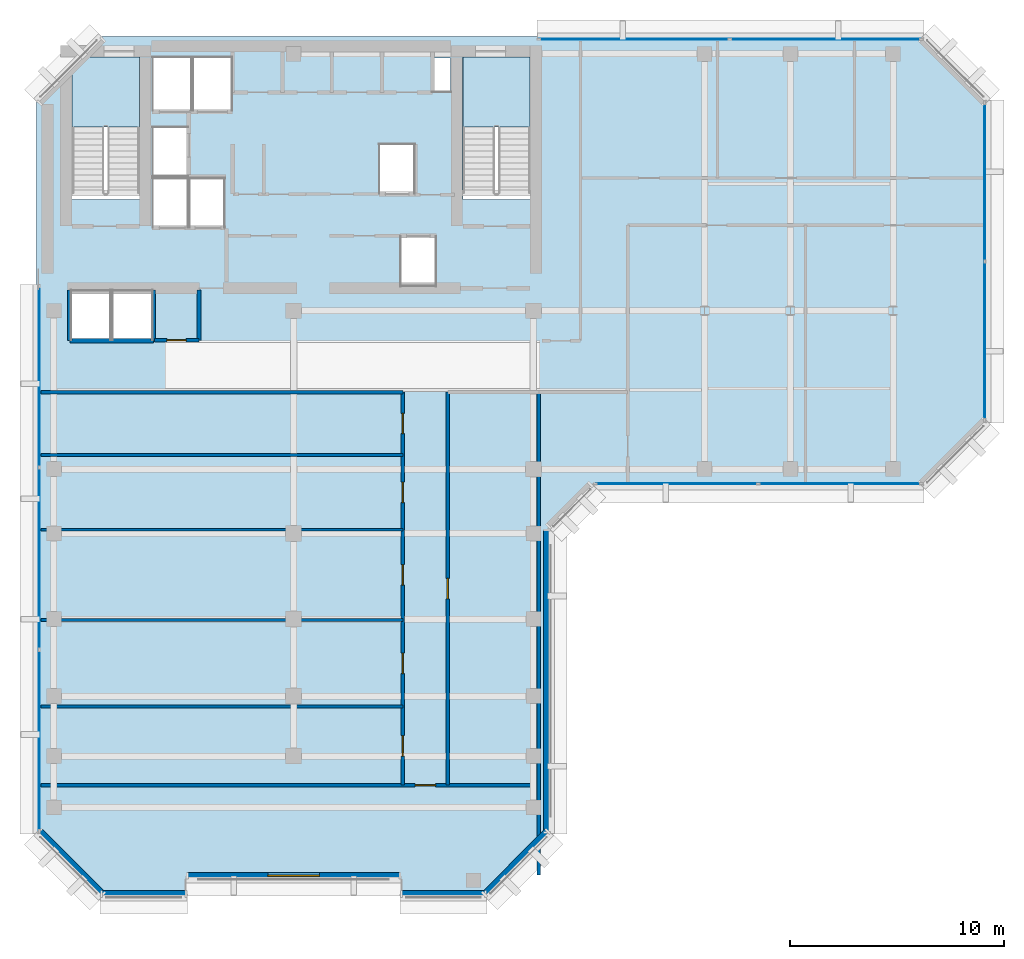
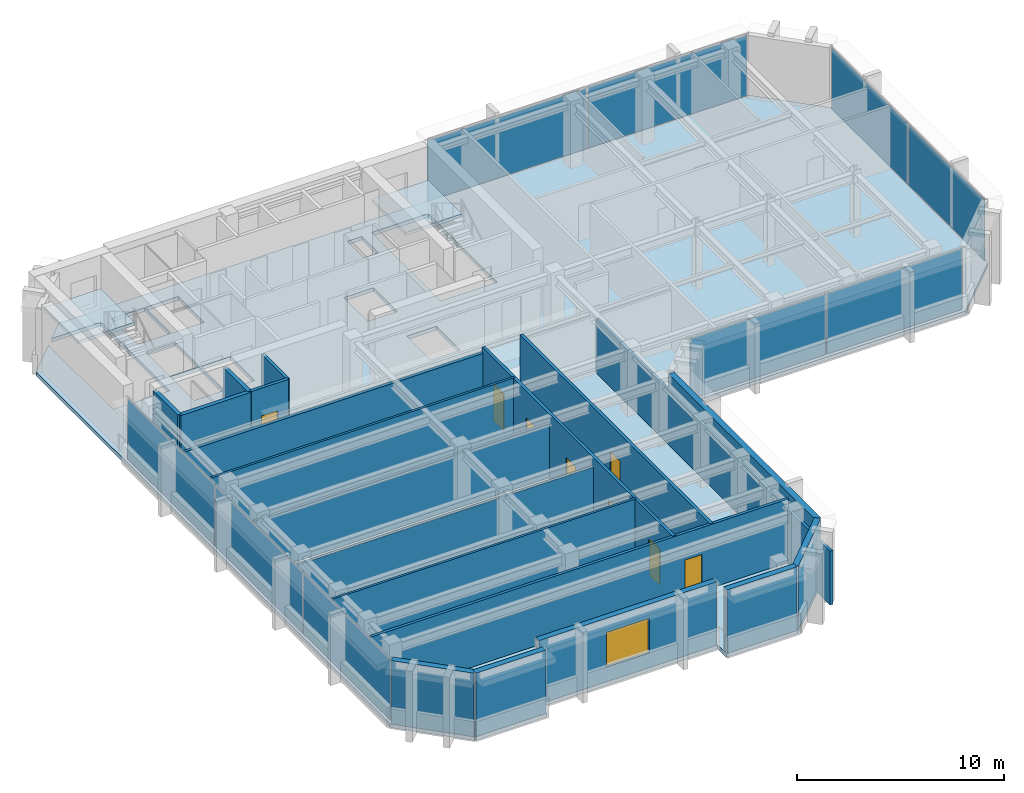
# One storey, part 6 of 13: 20 walls, 9 plates, 8 doors, 3 slabs, 1 window, 9 openings, 6 elements without a shape of their own.
"""IFC4 building model written with IfcOpenShell, lengths in metres."""

from ifc_helpers import new_model, si_unit, direction, frame, frame_2d, origin, origin_2d, place, context, subcontext, project, spatial, polyline, rectangle, outline, extrude, material, layer, layer_set, type_object, element, fill, aggregate, save


model = new_model("IFC4")

# Units and contexts
model_context = context("Model", 3, precision=1e-05, world=origin(), true_north=direction((0.0, 1.0)))
body_context = subcontext(model_context, "Body", "Model", "MODEL_VIEW")
ifc_project = project(units=[si_unit("LENGTHUNIT", "METRE"), si_unit("AREAUNIT", "SQUARE_METRE"), si_unit("VOLUMEUNIT", "CUBIC_METRE"), si_unit("PLANEANGLEUNIT", "RADIAN"), si_unit("MASSUNIT", "GRAM", prefix="KILO")], contexts=[model_context])

# Site, building, storey
site_placement = place(None, origin())
site = spatial("IfcSite", under=ifc_project, at=site_placement, CompositionType="ELEMENT")
building_placement = place(site_placement, origin())
building = spatial("IfcBuilding", under=site, at=building_placement, Name="Kefirva Bronze Tower", CompositionType="ELEMENT")
storey_placement = place(building_placement, frame((0.0, 0.0, 311.85009765625)))
storey = spatial("IfcBuildingStorey", under=building, at=storey_placement, Name="L76", CompositionType="ELEMENT", Elevation=311.85009765625)

# Stair, slab
ifc_material_1 = material(Name="Concrete C40/50", Category="concrete")
stair_type = type_object("IfcStairType", Name="RC Dogleg Protected Stair 24R", PredefinedType="HALF_TURN_STAIR", material=ifc_material_1)
stair_1_placement = place(storey_placement, origin())
stair_1 = element("IfcStair", 1, at=stair_1_placement, inside=storey, type_object=stair_type, Name="L76 Protected Exit Stair 1", PredefinedType="HALF_TURN_STAIR")
ifc_layer_1 = layer(ifc_material_1, 0.199951171875, Name="Concrete C40/50")
ifc_layer_set_1 = layer_set([ifc_layer_1], Name="Concrete C40/50")
slab_type_1 = type_object("IfcSlabType", Name="RC Stair Landing Slab 200mm", PredefinedType="LANDING", material=ifc_layer_set_1)
slab_1_placement = place(storey_placement, frame((0.0, 0.0, 1.77978515625)))
slab_1 = element("IfcSlab", 2, at=slab_1_placement, type_object=slab_type_1, Name="ST-1 landing 1", PredefinedType="LANDING", context=body_context, shape_type="SweptSolid", body=[
    extrude(outline(polyline([(4.800048828125, 41.780029296875), (4.800048828125, 45.050048828125), (1.64990234375, 45.050048828125), (1.64990234375, 41.780029296875), (4.800048828125, 41.780029296875)])), origin(), (0.0, 0.0, 1.0), 0.2001953125),
])
aggregate(stair_1, [slab_1])

stair_2_placement = place(storey_placement, origin())
stair_2 = element("IfcStair", 3, at=stair_2_placement, inside=storey, type_object=stair_type, Name="L76 Protected Exit Stair 2", PredefinedType="HALF_TURN_STAIR")
slab_2_placement = place(storey_placement, frame((0.0, 0.0, 1.77978515625)))
slab_2 = element("IfcSlab", 4, at=slab_2_placement, type_object=slab_type_1, Name="ST-2 landing 1", PredefinedType="LANDING", context=body_context, shape_type="SweptSolid", body=[
    extrude(outline(polyline([(23.050048828125, 41.780029296875), (23.050048828125, 45.050048828125), (19.89990234375, 45.050048828125), (19.89990234375, 41.780029296875), (23.050048828125, 41.780029296875)])), origin(), (0.0, 0.0, 1.0), 0.2001953125),
])
aggregate(stair_2, [slab_2])

# Slab
ifc_layer_2 = layer(ifc_material_1, 0.219970703125, Name="Concrete C40/50")
ifc_layer_set_2 = layer_set([ifc_layer_2], Name="Concrete C40/50")
slab_type_2 = type_object("IfcSlabType", Name="RC Upper Floor Slab 220mm", PredefinedType="FLOOR", material=ifc_layer_set_2)
slab_3_placement = place(storey_placement, frame((0.0, 0.0, -0.22021484375)))
element("IfcSlab", 5, at=slab_3_placement, inside=storey, type_object=slab_type_2, Name="L76 Structural Floor Slab", PredefinedType="FLOOR", context=body_context, shape_type="SweptSolid", body=[
    extrude(outline(polyline([(0.0, 8.800048828125), (0.0, 43.0), (1.64990234375, 44.64990234375), (1.64990234375, 38.39990234375), (4.800048828125, 38.39990234375), (4.800048828125, 45.050048828125), (2.050048828125, 45.050048828125), (3.0, 46.0), (41.39990234375, 46.0), (44.39990234375, 43.0), (44.39990234375, 28.0), (41.39990234375, 25.0), (26.0, 25.0), (24.0, 23.0), (24.0, 8.800048828125), (21.0, 5.800048828125), (17.0, 5.800048828125), (17.0, 6.64990234375), (7.0, 6.64990234375), (7.0, 5.800048828125), (3.0, 5.800048828125), (0.0, 8.800048828125)]), holes=[polyline([(23.050048828125, 45.050048828125), (19.89990234375, 45.050048828125), (19.89990234375, 38.39990234375), (23.050048828125, 38.39990234375), (23.050048828125, 45.050048828125)]), polyline([(19.320068359375, 43.419921875), (19.320068359375, 45.0), (18.52001953125, 45.0), (18.52001953125, 43.419921875), (19.320068359375, 43.419921875)]), polyline([(18.64990234375, 36.64990234375), (17.0, 36.64990234375), (17.0, 34.35009765625), (18.64990234375, 34.35009765625), (18.64990234375, 36.64990234375)]), polyline([(17.64990234375, 38.679931640625), (17.64990234375, 40.97998046875), (16.0, 40.97998046875), (16.0, 38.679931640625), (17.64990234375, 38.679931640625)]), polyline([(9.1201171875, 42.550048828125), (9.1201171875, 45.050048828125), (7.300048828125, 45.050048828125), (7.300048828125, 42.550048828125), (9.1201171875, 42.550048828125)]), polyline([(8.780029296875, 37.10009765625), (8.780029296875, 39.39990234375), (7.139892578125, 39.39990234375), (7.139892578125, 37.10009765625), (8.780029296875, 37.10009765625)]), polyline([(7.239990234375, 42.550048828125), (7.239990234375, 45.050048828125), (5.419921875, 45.050048828125), (5.419921875, 42.550048828125), (7.239990234375, 42.550048828125)]), polyline([(7.06005859375, 37.10009765625), (7.06005859375, 39.39990234375), (5.419921875, 39.39990234375), (5.419921875, 37.10009765625), (7.06005859375, 37.10009765625)]), polyline([(7.06005859375, 41.780029296875), (5.419921875, 41.780029296875), (5.419921875, 39.47998046875), (7.06005859375, 39.47998046875), (7.06005859375, 41.780029296875)]), polyline([(5.39990234375, 31.85009765625), (5.39990234375, 34.14990234375), (3.550048828125, 34.14990234375), (3.550048828125, 31.85009765625), (5.39990234375, 31.85009765625)]), polyline([(3.449951171875, 34.14990234375), (1.60009765625, 34.14990234375), (1.60009765625, 31.85009765625), (3.449951171875, 31.85009765625), (3.449951171875, 34.14990234375)])]), origin(), (0.0, 0.0, 1.0), 0.22021484375),
])

# Curtain wall, plates
ifc_material_2 = material(Name="Bronze anodised aluminium", Category="aluminium")
ifc_layer_3 = layer(ifc_material_2, 0.179931640625, Name="Bronze anodised aluminium")
ifc_layer_set_3 = layer_set([ifc_layer_3], Name="Bronze anodised aluminium")
curtain_wall_type = type_object("IfcCurtainWallType", Name="Unitised Bronze Ribbon Curtain Wall Zone 4", PredefinedType="USERDEFINED", material=ifc_layer_set_3)
curtain_wall_1_placement = place(storey_placement, origin())
curtain_wall_1 = element("IfcCurtainWall", 6, at=curtain_wall_1_placement, inside=storey, type_object=curtain_wall_type, Name="L76 Curtain Wall 1", ObjectType="UNITISED CURTAIN WALL", PredefinedType="USERDEFINED")
ifc_material_3 = material(Name="Laminated low-E double glazing", Category="glass")
ifc_layer_4 = layer(ifc_material_3, 0.031982421875, Name="Laminated low-E double glazing")
ifc_layer_set_4 = layer_set([ifc_layer_4], Name="Laminated low-E double glazing")
plate_type = type_object("IfcPlateType", Name="Solar-Control Low-E Vision Panel 32mm", PredefinedType="CURTAIN_PANEL", material=ifc_layer_set_4)
plate_1_placement = place(storey_placement, frame((29.896240234375, 25.1201171875, 0.07470703125), z_axis=(0.0, 0.0, 1.0), x_axis=(1.0, 0.0, 0.0)))
plate_1 = element("IfcPlate", 7, at=plate_1_placement, type_object=plate_type, Name="CW-04 panel 1.1", PredefinedType="CURTAIN_PANEL", context=body_context, shape_type="SweptSolid", body=[
    extrude(rectangle(XDim=7.532470703125, YDim=0.031982421875, at=origin_2d()), origin(), (0.0, 0.0, 1.0), 3.590087890625),
])
plate_2_placement = place(storey_placement, frame((37.503662109375, 25.1201171875, 0.07470703125), z_axis=(0.0, 0.0, 1.0), x_axis=(1.0, 0.0, 0.0)))
plate_2 = element("IfcPlate", 8, at=plate_2_placement, type_object=plate_type, Name="CW-04 panel 2.1", PredefinedType="CURTAIN_PANEL", context=body_context, shape_type="SweptSolid", body=[
    extrude(rectangle(XDim=7.532470703125, YDim=0.031982421875, at=origin_2d()), origin(), (0.0, 0.0, 1.0), 3.590087890625),
])
aggregate(curtain_wall_1, [plate_1, plate_2])

curtain_wall_2_placement = place(storey_placement, origin())
curtain_wall_2 = element("IfcCurtainWall", 9, at=curtain_wall_2_placement, inside=storey, type_object=curtain_wall_type, Name="L76 Curtain Wall 2", ObjectType="UNITISED CURTAIN WALL", PredefinedType="USERDEFINED")
plate_3_placement = place(storey_placement, frame((44.280029296875, 31.796142578125, 0.07470703125), z_axis=(0.0, 0.0, 1.0), x_axis=(0.0, 1.0, 0.0)))
plate_3 = element("IfcPlate", 10, at=plate_3_placement, type_object=plate_type, Name="CW-04 panel 1.1", PredefinedType="CURTAIN_PANEL", context=body_context, shape_type="SweptSolid", body=[
    extrude(rectangle(XDim=7.33251953125, YDim=0.031982421875, at=origin_2d()), origin(), (0.0, 0.0, 1.0), 3.590087890625),
])
plate_4_placement = place(storey_placement, frame((44.280029296875, 39.203857421875, 0.07470703125), z_axis=(0.0, 0.0, 1.0), x_axis=(0.0, 1.0, 0.0)))
plate_4 = element("IfcPlate", 11, at=plate_4_placement, type_object=plate_type, Name="CW-04 panel 2.1", PredefinedType="CURTAIN_PANEL", context=body_context, shape_type="SweptSolid", body=[
    extrude(rectangle(XDim=7.33251953125, YDim=0.031982421875, at=origin_2d()), origin(), (0.0, 0.0, 1.0), 3.590087890625),
])
aggregate(curtain_wall_2, [plate_3, plate_4])

curtain_wall_3_placement = place(storey_placement, origin())
curtain_wall_3 = element("IfcCurtainWall", 12, at=curtain_wall_3_placement, inside=storey, type_object=curtain_wall_type, Name="L76 Curtain Wall 3", ObjectType="UNITISED CURTAIN WALL", PredefinedType="USERDEFINED")
plate_5_placement = place(storey_placement, frame((36.84130859375, 45.8798828125, 0.07470703125), z_axis=(0.0, 0.0, 1.0), x_axis=(-1.0, 0.0, 0.0)))
plate_5 = element("IfcPlate", 13, at=plate_5_placement, type_object=plate_type, Name="CW-04 panel 1.1", PredefinedType="CURTAIN_PANEL", context=body_context, shape_type="SweptSolid", body=[
    extrude(rectangle(XDim=8.857421875, YDim=0.031982421875, at=origin_2d()), origin(), (0.0, 0.0, 1.0), 3.590087890625),
])
plate_6_placement = place(storey_placement, frame((27.90869140625, 45.8798828125, 0.07470703125), z_axis=(0.0, 0.0, 1.0), x_axis=(-1.0, 0.0, 0.0)))
plate_6 = element("IfcPlate", 14, at=plate_6_placement, type_object=plate_type, Name="CW-04 panel 2.1", PredefinedType="CURTAIN_PANEL", context=body_context, shape_type="SweptSolid", body=[
    extrude(rectangle(XDim=8.857421875, YDim=0.031982421875, at=origin_2d()), origin(), (0.0, 0.0, 1.0), 3.590087890625),
])
aggregate(curtain_wall_3, [plate_5, plate_6])

curtain_wall_4_placement = place(storey_placement, origin())
curtain_wall_4 = element("IfcCurtainWall", 15, at=curtain_wall_4_placement, inside=storey, type_object=curtain_wall_type, Name="L76 Curtain Wall 4", ObjectType="UNITISED CURTAIN WALL", PredefinedType="USERDEFINED")
plate_7_placement = place(storey_placement, frame((0.1201171875, 30.11962890625, 0.07470703125), z_axis=(0.0, 0.0, 1.0), x_axis=(0.0, -1.0, 0.0)))
plate_7 = element("IfcPlate", 16, at=plate_7_placement, type_object=plate_type, Name="CW-04 panel 1.1", PredefinedType="CURTAIN_PANEL", context=body_context, shape_type="SweptSolid", body=[
    extrude(rectangle(XDim=8.40087890625, YDim=0.031982421875, at=origin_2d()), origin(), (0.0, 0.0, 1.0), 3.590087890625),
])
plate_8_placement = place(storey_placement, frame((0.1201171875, 21.625, 0.07470703125), z_axis=(0.0, 0.0, 1.0), x_axis=(0.0, -1.0, 0.0)))
plate_8 = element("IfcPlate", 17, at=plate_8_placement, type_object=plate_type, Name="CW-04 panel 2.1", PredefinedType="CURTAIN_PANEL", context=body_context, shape_type="SweptSolid", body=[
    extrude(rectangle(XDim=8.438232421875, YDim=0.031982421875, at=origin_2d()), origin(), (0.0, 0.0, 1.0), 3.590087890625),
])
plate_9_placement = place(storey_placement, frame((0.1201171875, 13.13037109375, 0.07470703125), z_axis=(0.0, 0.0, 1.0), x_axis=(0.0, -1.0, 0.0)))
plate_9 = element("IfcPlate", 18, at=plate_9_placement, type_object=plate_type, Name="CW-04 panel 3.1", PredefinedType="CURTAIN_PANEL", context=body_context, shape_type="SweptSolid", body=[
    extrude(rectangle(XDim=8.40087890625, YDim=0.031982421875, at=origin_2d()), origin(), (0.0, 0.0, 1.0), 3.590087890625),
])
aggregate(curtain_wall_4, [plate_7, plate_8, plate_9])

# Walls
ifc_material_4 = material(Name="Gypsum acoustic partition")
ifc_layer_5 = layer(ifc_material_4, 0.1298828125, Name="Gypsum acoustic partition")
ifc_layer_set_5 = layer_set([ifc_layer_5], Name="Gypsum acoustic partition")
wall_type_1 = type_object("IfcWallType", Name="Acoustic Office Partition 130mm", PredefinedType="PARTITIONING", material=ifc_layer_set_5)
wall_1_placement = place(storey_placement, frame((0.18994140625, 14.7119140625, 0.0), z_axis=(0.0, 0.0, 1.0), x_axis=(1.0, 0.0, 0.0)))
element("IfcWall", 19, at=wall_1_placement, inside=storey, type_object=wall_type_1, Name="L76 Partition W-L76-SWD1", PredefinedType="PARTITIONING", context=body_context, shape_type="SweptSolid", body=[
    extrude(rectangle(XDim=16.91015625, YDim=0.1298828125, at=frame_2d((8.455078125, 0.0))), origin(), (0.0, 0.0, 1.0), 3.739990234375),
])
for number, where, z_axis, x_axis, name in (
    (20, (0.18994140625, 18.751220703125, 0.0), (0.0, 0.0, 1.0), (1.0, 0.0, 0.0), "L76 Partition W-L76-SWD2"),
    (21, (0.18994140625, 22.97412109375, 0.0), (0.0, 0.0, 1.0), (1.0, 0.0, 0.0), "L76 Partition W-L76-SWD3"),
):
    element("IfcWall", number, at=place(storey_placement, frame(where, z_axis=z_axis, x_axis=x_axis)), inside=storey, type_object=wall_type_1, Name=name, PredefinedType="PARTITIONING", context=body_context, shape_type="SweptSolid", body=[
        extrude(rectangle(XDim=16.91015625, YDim=0.1298828125, at=frame_2d((8.455078125, 0.0))), origin(), (0.0, 0.0, 1.0), 3.1748046875),
    ])
wall_2_placement = place(storey_placement, frame((0.18994140625, 26.46240234375, 0.0), z_axis=(0.0, 0.0, 1.0), x_axis=(1.0, 0.0, 0.0)))
element("IfcWall", 22, at=wall_2_placement, inside=storey, type_object=wall_type_1, Name="L76 Partition W-L76-SWD4", PredefinedType="PARTITIONING", context=body_context, shape_type="SweptSolid", body=[
    extrude(rectangle(XDim=16.91015625, YDim=0.1298828125, at=frame_2d((8.455078125, 0.0))), origin(), (0.0, 0.0, 1.0), 3.739990234375),
])
ifc_material_5 = material(Name="Gypsum fireboard shaftwall")
ifc_layer_6 = layer(ifc_material_5, 0.219970703125, Name="Gypsum fireboard shaftwall")
ifc_layer_set_6 = layer_set([ifc_layer_6], Name="Gypsum fireboard shaftwall")
wall_type_2 = type_object("IfcWallType", Name="Fire-Rated Shaft Enclosure Wall 220mm", PredefinedType="PARTITIONING", material=ifc_layer_set_6)
wall_3_placement = place(storey_placement, frame((1.550048828125, 31.800048828125, 0.0), z_axis=(0.0, 0.0, 1.0), x_axis=(1.0, 0.0, 0.0)))
element("IfcWall", 23, at=wall_3_placement, inside=storey, type_object=wall_type_2, Name="L76 Partition W-L76-OBS", PredefinedType="PARTITIONING", context=body_context, shape_type="SweptSolid", body=[
    extrude(rectangle(XDim=3.89990234375, YDim=0.219970703125, at=frame_2d((1.949951171875, 0.0))), origin(), (0.0, 0.0, 1.0), 3.739990234375),
])
for number, where, z_axis, x_axis, name in (
    (24, (1.550048828125, 31.800048828125, 0.0), (0.0, 0.0, 1.0), (0.0, 1.0, 0.0), "L76 Partition W-L76-OBW"),
    (25, (5.449951171875, 31.800048828125, 0.0), (0.0, 0.0, 1.0), (0.0, 1.0, 0.0), "L76 Partition W-L76-OBE"),
):
    element("IfcWall", number, at=place(storey_placement, frame(where, z_axis=z_axis, x_axis=x_axis)), inside=storey, type_object=wall_type_2, Name=name, PredefinedType="PARTITIONING", context=body_context, shape_type="SweptSolid", body=[
        extrude(rectangle(XDim=2.3798828125, YDim=0.219970703125, at=frame_2d((1.18994140625, 0.0))), origin(), (0.0, 0.0, 1.0), 3.739990234375),
    ])
ifc_material_6 = material(Name="Precast concrete C40/50", Category="concrete")
ifc_layer_7 = layer(ifc_material_6, 0.320068359375, Name="Precast concrete C40/50")
ifc_layer_set_7 = layer_set([ifc_layer_7], Name="Precast concrete C40/50")
wall_type_3 = type_object("IfcWallType", Name="Precast Insulated Exterior Wall 320mm", PredefinedType="SOLIDWALL", material=ifc_layer_set_7)
wall_4_placement = place(storey_placement, frame((3.054931640625, 5.9599609375, 0.0), z_axis=(0.0, 0.0, 1.0), x_axis=(1.0, 0.0, 0.0)))
element("IfcWall", 26, at=wall_4_placement, inside=storey, type_object=wall_type_3, Name="L76 Exterior Facade Wall 1", PredefinedType="SOLIDWALL", context=body_context, shape_type="SweptSolid", body=[
    extrude(rectangle(XDim=3.89013671875, YDim=0.320068359375, at=frame_2d((1.945068359375, 0.0))), origin(), (0.0, 0.0, 1.0), 3.739990234375),
])

# Wall, opening, window
wall_5_placement = place(storey_placement, frame((7.054931640625, 6.81005859375, 0.0), z_axis=(0.0, 0.0, 1.0), x_axis=(1.0, 0.0, 0.0)))
wall_5 = element("IfcWall", 27, at=wall_5_placement, inside=storey, type_object=wall_type_3, Name="L76 Exterior Facade Wall 2", PredefinedType="SOLIDWALL", context=body_context, shape_type="SweptSolid", body=[
    extrude(rectangle(XDim=9.89013671875, YDim=0.320068359375, at=frame_2d((4.945068359375, 0.0))), origin(), (0.0, 0.0, 1.0), 3.739990234375),
])
opening_1_placement = place(wall_5_placement, frame((3.7451171875, 0.0, 0.85009765625)))
opening_1 = element("IfcOpeningElement", 28, at=opening_1_placement, cuts=wall_5, Name="Opening WN-01", PredefinedType="OPENING", context=body_context, shape_type="SweptSolid", body=[
    extrude(rectangle(XDim=2.39990234375, YDim=2.050048828125, at=frame_2d((1.199951171875, 1.02490234375))), frame((0.0, 0.169921875, 0.0), z_axis=(0.0, -1.0, 0.0), x_axis=(1.0, 0.0, 0.0)), (0.0, 0.0, 1.0), 0.340087890625),
])
window_type = type_object("IfcWindowType", Name="Streamline Ribbon Window 2400x2050", PartitioningType="SINGLE_PANEL", PredefinedType="WINDOW", material=ifc_material_3)
window_placement = place(opening_1_placement, origin())
window = element("IfcWindow", 29, at=window_placement, inside=storey, type_object=window_type, Name="L76 Ribbon Window 2", OverallHeight=2.050048828125, OverallWidth=2.39990234375, PartitioningType="SINGLE_PANEL", PredefinedType="WINDOW", context=body_context, shape_type="SweptSolid", body=[
    extrude(rectangle(XDim=2.39990234375, YDim=2.050048828125, at=frame_2d((1.199951171875, 1.02490234375))), frame((0.0, 0.030029296875, 0.0), z_axis=(0.0, -1.0, 0.0), x_axis=(1.0, 0.0, 0.0)), (0.0, 0.0, 1.0), 0.06005859375),
])
fill(opening_1, window)

# Walls
wall_6_placement = place(storey_placement, frame((17.054931640625, 5.9599609375, 0.0), z_axis=(0.0, 0.0, 1.0), x_axis=(1.0, 0.0, 0.0)))
element("IfcWall", 30, at=wall_6_placement, inside=storey, type_object=wall_type_3, Name="L76 Exterior Facade Wall 3", PredefinedType="SOLIDWALL", context=body_context, shape_type="SweptSolid", body=[
    extrude(rectangle(XDim=3.89013671875, YDim=0.320068359375, at=frame_2d((1.945068359375, 0.0))), origin(), (0.0, 0.0, 1.0), 3.739990234375),
])
wall_7_placement = place(storey_placement, frame((20.92578125, 5.951904296875, 0.0), z_axis=(0.0, 0.0, 1.0), x_axis=(0.707077242712, 0.707136318428, 0.0)))
element("IfcWall", 31, at=wall_7_placement, inside=storey, type_object=wall_type_3, Name="L76 Exterior Facade Wall 4", PredefinedType="SOLIDWALL", context=body_context, shape_type="SweptSolid", body=[
    extrude(rectangle(XDim=4.132568359375, YDim=0.320068359375, at=frame_2d((2.06640625, 0.0))), origin(), (0.0, 0.0, 1.0), 3.739990234375),
])
wall_8_placement = place(storey_placement, frame((23.840087890625, 8.85498046875, 0.0), z_axis=(0.0, 0.0, 1.0), x_axis=(0.0, 1.0, 0.0)))
element("IfcWall", 32, at=wall_8_placement, inside=storey, type_object=wall_type_3, Name="L76 Exterior Facade Wall 5", PredefinedType="SOLIDWALL", context=body_context, shape_type="SweptSolid", body=[
    extrude(rectangle(XDim=14.090087890625, YDim=0.320068359375, at=frame_2d((7.044921875, 0.0))), origin(), (0.0, 0.0, 1.0), 3.739990234375),
])
wall_9_placement = place(storey_placement, frame((0.152099609375, 8.874267578125, 0.0), z_axis=(0.0, 0.0, 1.0), x_axis=(0.707077242712, -0.707136318428, 0.0)))
element("IfcWall", 33, at=wall_9_placement, inside=storey, type_object=wall_type_3, Name="L76 Exterior Facade Wall 10", PredefinedType="SOLIDWALL", context=body_context, shape_type="SweptSolid", body=[
    extrude(rectangle(XDim=4.132568359375, YDim=0.320068359375, at=frame_2d((2.06640625, 0.0))), origin(), (0.0, 0.0, 1.0), 3.739990234375),
])

# Wall, openings, doors
ifc_layer_8 = layer(ifc_material_4, 0.159912109375, Name="Gypsum acoustic partition")
ifc_layer_set_8 = layer_set([ifc_layer_8], Name="Gypsum acoustic partition")
wall_type_4 = type_object("IfcWallType", Name="Protected Corridor Partition 160mm", PredefinedType="PARTITIONING", material=ifc_layer_set_8)
wall_10_placement = place(storey_placement, frame((17.10009765625, 11.0400390625, 0.0), z_axis=(0.0, 0.0, 1.0), x_axis=(0.0, 1.0, 0.0)))
wall_10 = element("IfcWall", 34, at=wall_10_placement, inside=storey, type_object=wall_type_4, Name="L76 Partition W-L76-SWCORW", PredefinedType="PARTITIONING", context=body_context, shape_type="SweptSolid", body=[
    extrude(rectangle(XDim=18.35986328125, YDim=0.159912109375, at=frame_2d((9.179931640625, 0.0))), origin(), (0.0, 0.0, 1.0), 3.739990234375),
])
opening_2_placement = place(wall_10_placement, frame((2.31103515625, 0.0, 0.0), z_axis=(0.0, 0.0, 1.0), x_axis=(-1.0, 0.0, 0.0)))
opening_2 = element("IfcOpeningElement", 35, at=opening_2_placement, cuts=wall_10, Name="Opening L76-D-SW1", PredefinedType="OPENING", context=body_context, shape_type="SweptSolid", body=[
    extrude(rectangle(XDim=0.949951171875, YDim=2.14990234375, at=frame_2d((0.47509765625, 1.074951171875))), frame((0.0, 0.08984375, 0.0), z_axis=(0.0, -1.0, 0.0), x_axis=(1.0, 0.0, 0.0)), (0.0, 0.0, 1.0), 0.179931640625),
])
opening_3_placement = place(wall_10_placement, frame((6.16650390625, 0.0, 0.0), z_axis=(0.0, 0.0, 1.0), x_axis=(-1.0, 0.0, 0.0)))
opening_3 = element("IfcOpeningElement", 36, at=opening_3_placement, cuts=wall_10, Name="Opening L76-D-SW2", PredefinedType="OPENING", context=body_context, shape_type="SweptSolid", body=[
    extrude(rectangle(XDim=0.949951171875, YDim=2.14990234375, at=frame_2d((0.47509765625, 1.074951171875))), frame((0.0, 0.08984375, 0.0), z_axis=(0.0, -1.0, 0.0), x_axis=(1.0, 0.0, 0.0)), (0.0, 0.0, 1.0), 0.179931640625),
])
opening_4_placement = place(wall_10_placement, frame((10.297607421875, 0.0, 0.0), z_axis=(0.0, 0.0, 1.0), x_axis=(-1.0, 0.0, 0.0)))
opening_4 = element("IfcOpeningElement", 37, at=opening_4_placement, cuts=wall_10, Name="Opening L76-D-SW3", PredefinedType="OPENING", context=body_context, shape_type="SweptSolid", body=[
    extrude(rectangle(XDim=0.949951171875, YDim=2.14990234375, at=frame_2d((0.47509765625, 1.074951171875))), frame((0.0, 0.08984375, 0.0), z_axis=(0.0, -1.0, 0.0), x_axis=(1.0, 0.0, 0.0)), (0.0, 0.0, 1.0), 0.179931640625),
])
opening_5_placement = place(wall_10_placement, frame((14.153076171875, 0.0, 0.0), z_axis=(0.0, 0.0, 1.0), x_axis=(-1.0, 0.0, 0.0)))
opening_5 = element("IfcOpeningElement", 38, at=opening_5_placement, cuts=wall_10, Name="Opening L76-D-SW4", PredefinedType="OPENING", context=body_context, shape_type="SweptSolid", body=[
    extrude(rectangle(XDim=0.949951171875, YDim=2.14990234375, at=frame_2d((0.47509765625, 1.074951171875))), frame((0.0, 0.08984375, 0.0), z_axis=(0.0, -1.0, 0.0), x_axis=(1.0, 0.0, 0.0)), (0.0, 0.0, 1.0), 0.179931640625),
])
opening_6_placement = place(wall_10_placement, frame((17.3662109375, 0.0, 0.0), z_axis=(0.0, 0.0, 1.0), x_axis=(-1.0, 0.0, 0.0)))
opening_6 = element("IfcOpeningElement", 39, at=opening_6_placement, cuts=wall_10, Name="Opening L76-D-SW5", PredefinedType="OPENING", context=body_context, shape_type="SweptSolid", body=[
    extrude(rectangle(XDim=0.949951171875, YDim=2.14990234375, at=frame_2d((0.47509765625, 1.074951171875))), frame((0.0, 0.08984375, 0.0), z_axis=(0.0, -1.0, 0.0), x_axis=(1.0, 0.0, 0.0)), (0.0, 0.0, 1.0), 0.179931640625),
])
ifc_material_7 = material(Name="Acoustic hardwood oak", Category="wood")
door_type_1 = type_object("IfcDoorType", Name="Office & Meeting Room Door 950x2150", OperationType="NOTDEFINED", PredefinedType="DOOR", material=ifc_material_7)
door_1_placement = place(opening_2_placement, origin())
door_1 = element("IfcDoor", 40, at=door_1_placement, inside=storey, type_object=door_type_1, Name="Door L76-D-SW1", OperationType="SINGLE_SWING_RIGHT", OverallHeight=2.14990234375, OverallWidth=0.949951171875, PredefinedType="DOOR", context=body_context, shape_type="SweptSolid", body=[
    extrude(rectangle(XDim=0.949951171875, YDim=2.14990234375, at=frame_2d((0.47509765625, 1.074951171875))), frame((0.0, 0.02490234375, 0.0), z_axis=(0.0, -1.0, 0.0), x_axis=(1.0, 0.0, 0.0)), (0.0, 0.0, 1.0), 0.050048828125),
])
fill(opening_2, door_1)
door_2_placement = place(opening_3_placement, origin())
door_2 = element("IfcDoor", 41, at=door_2_placement, inside=storey, type_object=door_type_1, Name="Door L76-D-SW2", OperationType="SINGLE_SWING_LEFT", OverallHeight=2.14990234375, OverallWidth=0.949951171875, PredefinedType="DOOR", context=body_context, shape_type="SweptSolid", body=[
    extrude(rectangle(XDim=0.949951171875, YDim=2.14990234375, at=frame_2d((0.47509765625, 1.074951171875))), frame((0.0, 0.02490234375, 0.0), z_axis=(0.0, -1.0, 0.0), x_axis=(1.0, 0.0, 0.0)), (0.0, 0.0, 1.0), 0.050048828125),
])
fill(opening_3, door_2)
door_3_placement = place(opening_4_placement, origin())
door_3 = element("IfcDoor", 42, at=door_3_placement, inside=storey, type_object=door_type_1, Name="Door L76-D-SW3", OperationType="SINGLE_SWING_RIGHT", OverallHeight=2.14990234375, OverallWidth=0.949951171875, PredefinedType="DOOR", context=body_context, shape_type="SweptSolid", body=[
    extrude(rectangle(XDim=0.949951171875, YDim=2.14990234375, at=frame_2d((0.47509765625, 1.074951171875))), frame((0.0, 0.02490234375, 0.0), z_axis=(0.0, -1.0, 0.0), x_axis=(1.0, 0.0, 0.0)), (0.0, 0.0, 1.0), 0.050048828125),
])
fill(opening_4, door_3)
door_4_placement = place(opening_5_placement, origin())
door_4 = element("IfcDoor", 43, at=door_4_placement, inside=storey, type_object=door_type_1, Name="Door L76-D-SW4", OperationType="SINGLE_SWING_LEFT", OverallHeight=2.14990234375, OverallWidth=0.949951171875, PredefinedType="DOOR", context=body_context, shape_type="SweptSolid", body=[
    extrude(rectangle(XDim=0.949951171875, YDim=2.14990234375, at=frame_2d((0.47509765625, 1.074951171875))), frame((0.0, 0.02490234375, 0.0), z_axis=(0.0, -1.0, 0.0), x_axis=(1.0, 0.0, 0.0)), (0.0, 0.0, 1.0), 0.050048828125),
])
fill(opening_5, door_4)
door_5_placement = place(opening_6_placement, origin())
door_5 = element("IfcDoor", 44, at=door_5_placement, inside=storey, type_object=door_type_1, Name="Door L76-D-SW5", OperationType="SINGLE_SWING_RIGHT", OverallHeight=2.14990234375, OverallWidth=0.949951171875, PredefinedType="DOOR", context=body_context, shape_type="SweptSolid", body=[
    extrude(rectangle(XDim=0.949951171875, YDim=2.14990234375, at=frame_2d((0.47509765625, 1.074951171875))), frame((0.0, 0.02490234375, 0.0), z_axis=(0.0, -1.0, 0.0), x_axis=(1.0, 0.0, 0.0)), (0.0, 0.0, 1.0), 0.050048828125),
])
fill(opening_6, door_5)

# Wall, opening, door
wall_11_placement = place(storey_placement, frame((19.199951171875, 11.0400390625, 0.0), z_axis=(0.0, 0.0, 1.0), x_axis=(0.0, 1.0, 0.0)))
wall_11 = element("IfcWall", 45, at=wall_11_placement, inside=storey, type_object=wall_type_4, Name="L76 Partition W-L76-SECORE", PredefinedType="PARTITIONING", context=body_context, shape_type="SweptSolid", body=[
    extrude(rectangle(XDim=18.35986328125, YDim=0.159912109375, at=frame_2d((9.179931640625, 0.0))), origin(), (0.0, 0.0, 1.0), 3.739990234375),
])
opening_7_placement = place(wall_11_placement, frame((8.705078125, 0.0, 0.0)))
opening_7 = element("IfcOpeningElement", 46, at=opening_7_placement, cuts=wall_11, Name="Opening L76-D-SE1", PredefinedType="OPENING", context=body_context, shape_type="SweptSolid", body=[
    extrude(rectangle(XDim=0.949951171875, YDim=2.14990234375, at=frame_2d((0.47509765625, 1.074951171875))), frame((0.0, 0.08984375, 0.0), z_axis=(0.0, -1.0, 0.0), x_axis=(1.0, 0.0, 0.0)), (0.0, 0.0, 1.0), 0.179931640625),
])
door_6_placement = place(opening_7_placement, origin())
door_6 = element("IfcDoor", 47, at=door_6_placement, inside=storey, type_object=door_type_1, Name="Door L76-D-SE1", OperationType="SINGLE_SWING_LEFT", OverallHeight=2.14990234375, OverallWidth=0.949951171875, PredefinedType="DOOR", context=body_context, shape_type="SweptSolid", body=[
    extrude(rectangle(XDim=0.949951171875, YDim=2.14990234375, at=frame_2d((0.47509765625, 1.074951171875))), frame((0.0, 0.02490234375, 0.0), z_axis=(0.0, -1.0, 0.0), x_axis=(1.0, 0.0, 0.0)), (0.0, 0.0, 1.0), 0.050048828125),
])
fill(opening_7, door_6)

wall_12_placement = place(storey_placement, frame((0.18994140625, 11.0400390625, 0.0), z_axis=(0.0, 0.0, 1.0), x_axis=(1.0, 0.0, 0.0)))
wall_12 = element("IfcWall", 48, at=wall_12_placement, inside=storey, type_object=wall_type_4, Name="L76 Partition W-L76-SBEND", PredefinedType="PARTITIONING", context=body_context, shape_type="SweptSolid", body=[
    extrude(rectangle(XDim=23.260009765625, YDim=0.159912109375, at=frame_2d((11.6298828125, 0.0))), origin(), (0.0, 0.0, 1.0), 3.739990234375),
])
opening_8_placement = place(wall_12_placement, frame((17.489990234375, 0.0, 0.0)))
opening_8 = element("IfcOpeningElement", 49, at=opening_8_placement, cuts=wall_12, Name="Opening L76-D-SEND1", PredefinedType="OPENING", context=body_context, shape_type="SweptSolid", body=[
    extrude(rectangle(XDim=0.949951171875, YDim=2.14990234375, at=frame_2d((0.47509765625, 1.074951171875))), frame((0.0, 0.08984375, 0.0), z_axis=(0.0, -1.0, 0.0), x_axis=(1.0, 0.0, 0.0)), (0.0, 0.0, 1.0), 0.179931640625),
])
door_7_placement = place(opening_8_placement, origin())
door_7 = element("IfcDoor", 50, at=door_7_placement, inside=storey, type_object=door_type_1, Name="Door L76-D-SEND1", OperationType="SINGLE_SWING_LEFT", OverallHeight=2.14990234375, OverallWidth=0.949951171875, PredefinedType="DOOR", context=body_context, shape_type="SweptSolid", body=[
    extrude(rectangle(XDim=0.949951171875, YDim=2.14990234375, at=frame_2d((0.47509765625, 1.074951171875))), frame((0.0, 0.02490234375, 0.0), z_axis=(0.0, -1.0, 0.0), x_axis=(1.0, 0.0, 0.0)), (0.0, 0.0, 1.0), 0.050048828125),
])
fill(opening_8, door_7)

# Walls
wall_13_placement = place(storey_placement, frame((0.18994140625, 29.39990234375, 0.0), z_axis=(0.0, 0.0, 1.0), x_axis=(1.0, 0.0, 0.0)))
element("IfcWall", 51, at=wall_13_placement, inside=storey, type_object=wall_type_4, Name="L76 Partition W-L76-NWT", PredefinedType="PARTITIONING", context=body_context, shape_type="SweptSolid", body=[
    extrude(rectangle(XDim=16.91015625, YDim=0.159912109375, at=frame_2d((8.455078125, 0.0))), origin(), (0.0, 0.0, 1.0), 3.4248046875),
])
wall_14_placement = place(storey_placement, frame((23.449951171875, 6.840087890625, 0.0), z_axis=(0.0, 0.0, 1.0), x_axis=(0.0, 1.0, 0.0)))
element("IfcWall", 52, at=wall_14_placement, inside=storey, type_object=wall_type_4, Name="L76 Partition W-L76-SWEAST", PredefinedType="PARTITIONING", context=body_context, shape_type="SweptSolid", body=[
    extrude(rectangle(XDim=22.559814453125, YDim=0.159912109375, at=frame_2d((11.27978515625, 0.0))), origin(), (0.0, 0.0, 1.0), 3.1748046875),
])

# Wall, opening, door
ifc_material_8 = material(Name="Moisture-resistant partition")
ifc_layer_9 = layer(ifc_material_8, 0.179931640625, Name="Moisture-resistant partition")
ifc_layer_set_9 = layer_set([ifc_layer_9], Name="Moisture-resistant partition")
wall_type_5 = type_object("IfcWallType", Name="Sanitary Plumbing Chase Wall 180mm", PredefinedType="PLUMBINGWALL", material=ifc_layer_set_9)
wall_15_placement = place(storey_placement, frame((5.5, 31.820068359375, 0.0), z_axis=(0.0, 0.0, 1.0), x_axis=(1.0, 0.0, 0.0)))
wall_15 = element("IfcWall", 53, at=wall_15_placement, inside=storey, type_object=wall_type_5, Name="L76 Partition W-L76-TCS", PredefinedType="PLUMBINGWALL", context=body_context, shape_type="SweptSolid", body=[
    extrude(rectangle(XDim=2.080078125, YDim=0.179931640625, at=frame_2d((1.0400390625, 0.0))), origin(), (0.0, 0.0, 1.0), 3.739990234375),
])
opening_9_placement = place(wall_15_placement, frame((1.47998046875, 0.0, 0.0), z_axis=(0.0, 0.0, 1.0), x_axis=(-1.0, 0.0, 0.0)))
opening_9 = element("IfcOpeningElement", 54, at=opening_9_placement, cuts=wall_15, Name="Opening L76-D-TCL1", PredefinedType="OPENING", context=body_context, shape_type="SweptSolid", body=[
    extrude(rectangle(XDim=0.89990234375, YDim=2.10009765625, at=frame_2d((0.449951171875, 1.050048828125))), frame((0.0, 0.10009765625, 0.0), z_axis=(0.0, -1.0, 0.0), x_axis=(1.0, 0.0, 0.0)), (0.0, 0.0, 1.0), 0.199951171875),
])
ifc_material_9 = material(Name="Painted galvanized steel", Category="steel")
door_type_2 = type_object("IfcDoorType", Name="Telecom & Meter Fire Door 900x2100 FD60S", OperationType="NOTDEFINED", PredefinedType="DOOR", material=ifc_material_9)
door_8_placement = place(opening_9_placement, origin())
door_8 = element("IfcDoor", 55, at=door_8_placement, inside=storey, type_object=door_type_2, Name="Door L76-D-TCL1", OperationType="SINGLE_SWING_LEFT", OverallHeight=2.10009765625, OverallWidth=0.89990234375, PredefinedType="DOOR", context=body_context, shape_type="SweptSolid", body=[
    extrude(rectangle(XDim=0.89990234375, YDim=2.10009765625, at=frame_2d((0.449951171875, 1.050048828125))), frame((0.0, 0.02490234375, 0.0), z_axis=(0.0, -1.0, 0.0), x_axis=(1.0, 0.0, 0.0)), (0.0, 0.0, 1.0), 0.050048828125),
])
fill(opening_9, door_8)

# Wall
wall_16_placement = place(storey_placement, frame((7.580078125, 31.820068359375, 0.0), z_axis=(0.0, 0.0, 1.0), x_axis=(0.0, 1.0, 0.0)))
element("IfcWall", 56, at=wall_16_placement, inside=storey, type_object=wall_type_5, Name="L76 Partition W-L76-TCE", PredefinedType="PLUMBINGWALL", context=body_context, shape_type="SweptSolid", body=[
    extrude(rectangle(XDim=2.35986328125, YDim=0.179931640625, at=frame_2d((1.179931640625, 0.0))), origin(), (0.0, 0.0, 1.0), 3.739990234375),
])

save(model, "model.ifc")
